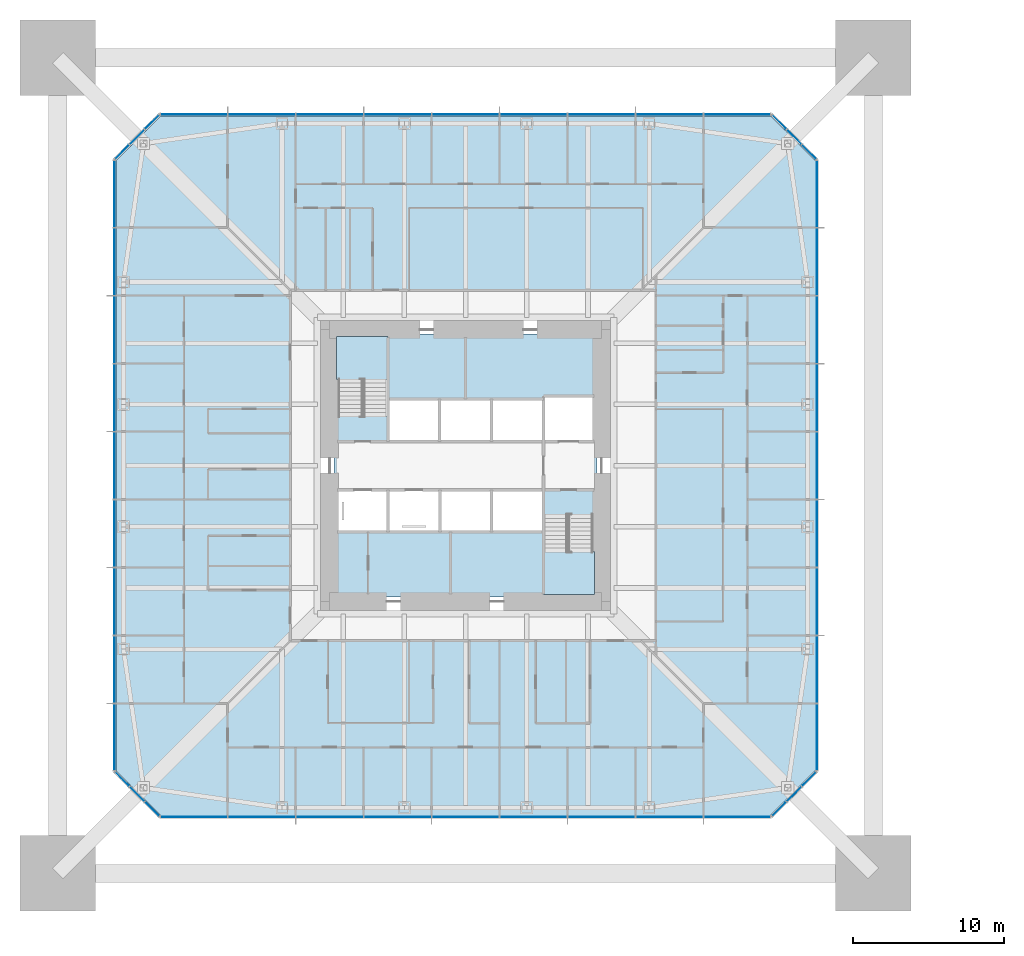
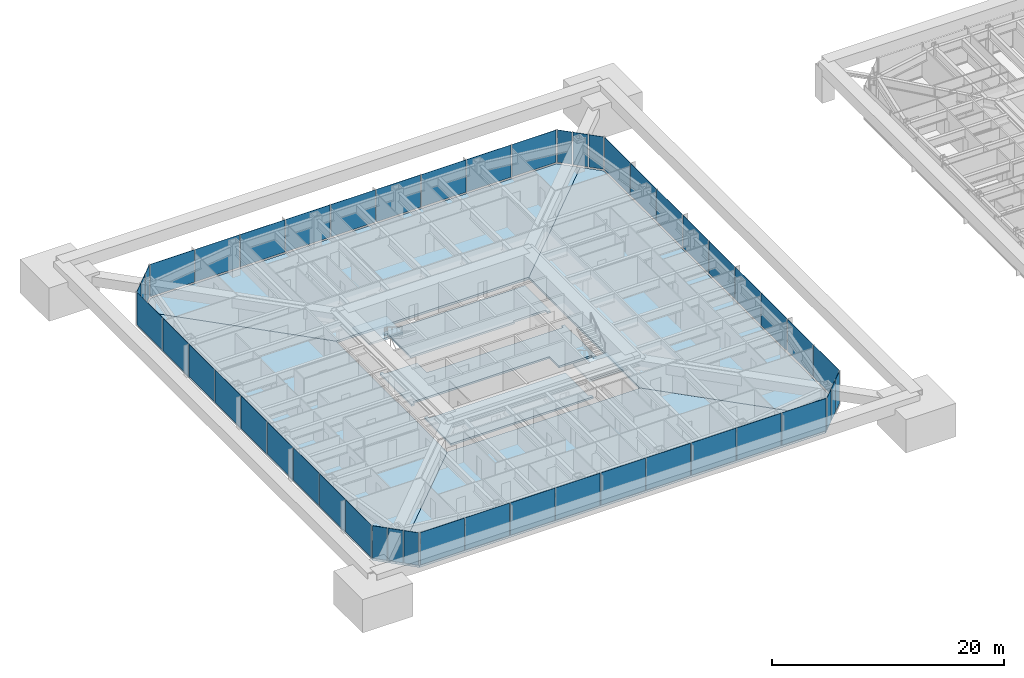
# One storey, part 18 of 32: 48 plates, 9 slabs, 10 elements without a shape of their own.
"""IFC4 building model written with IfcOpenShell, lengths in metres."""

from ifc_helpers import new_model, si_unit, direction, frame, origin, origin_2d, place, context, subcontext, project, spatial, polyline, rectangle, outline, extrude, material, layer, layer_set, constituent, constituent_set, type_object, element, aggregate, save


model = new_model("IFC4")

# Units and contexts
model_context = context("Model", 3, precision=1e-05, world=origin(), true_north=direction((0.0, 1.0)))
body_context = subcontext(model_context, "Body", "Model", "MODEL_VIEW")
ifc_project = project(units=[si_unit("LENGTHUNIT", "METRE"), si_unit("AREAUNIT", "SQUARE_METRE"), si_unit("VOLUMEUNIT", "CUBIC_METRE"), si_unit("PLANEANGLEUNIT", "RADIAN"), si_unit("MASSUNIT", "GRAM", prefix="KILO")], contexts=[model_context])

# Site, building, storey
site_placement = place(None, origin())
site = spatial("IfcSite", under=ifc_project, at=site_placement, CompositionType="ELEMENT")
building_placement = place(site_placement, origin())
building = spatial("IfcBuilding", under=site, at=building_placement, Name="Iwan Alto Co-Living Towers", CompositionType="ELEMENT")
storey_placement = place(building_placement, frame((0.0, 0.0, 71.0)))
storey = spatial("IfcBuildingStorey", under=building, at=storey_placement, Name="L19", CompositionType="ELEMENT", Elevation=71.0)

# Slabs
ifc_material_1 = material(Name="Concrete f'c 30 MPa", Category="concrete")
ifc_layer_1 = layer(ifc_material_1, 0.199951171875)
ifc_layer_set_1 = layer_set([ifc_layer_1], Name="CORE FLOOR SLAB 200")
slab_type_1 = type_object("IfcSlabType", Name="CORE FLOOR SLAB 200", PredefinedType="FLOOR", material=ifc_layer_set_1)
slab_1_placement = place(storey_placement, frame((0.0, 0.0, -0.199951171875)))
element("IfcSlab", 1, at=slab_1_placement, inside=storey, type_object=slab_type_1, Name="T1 core floor L19", PredefinedType="FLOOR", context=body_context, shape_type="SweptSolid", body=[
    extrude(outline(polyline([(8.699951171875, -3.580078125), (8.39990234375, -3.580078125), (8.39990234375, -3.27001953125), (5.14990234375, -3.27001953125), (5.14990234375, -1.60009765625), (1.72509765625, -1.60009765625), (-1.699951171875, -1.60009765625), (-5.125, -1.60009765625), (-8.39990234375, -1.60009765625), (-8.39990234375, -1.909912109375), (-8.699951171875, -1.909912109375), (-8.699951171875, 3.580078125), (-8.39990234375, 3.580078125), (-8.39990234375, 3.27001953125), (-5.14990234375, 3.27001953125), (-5.14990234375, 1.60009765625), (-1.717041015625, 1.60009765625), (1.717041015625, 1.60009765625), (5.14990234375, 1.60009765625), (8.39990234375, 1.60009765625), (8.39990234375, 1.909912109375), (8.699951171875, 1.909912109375), (8.699951171875, -3.580078125)])), origin(), (0.0, 0.0, 1.0), 0.199951171875),
])
slab_2_placement = place(storey_placement, frame((0.0, 0.0, -0.199951171875)))
element("IfcSlab", 2, at=slab_2_placement, inside=storey, type_object=slab_type_1, Name="T1 core floor L19", PredefinedType="FLOOR", context=body_context, shape_type="SweptSolid", body=[
    extrude(outline(polyline([(-1.699951171875, -4.39990234375), (1.72509765625, -4.39990234375), (5.14990234375, -4.39990234375), (5.14990234375, -8.39990234375), (5.4599609375, -8.39990234375), (5.4599609375, -8.699951171875), (-8.699951171875, -8.699951171875), (-8.699951171875, -4.090087890625), (-8.39990234375, -4.090087890625), (-8.39990234375, -4.39990234375), (-5.125, -4.39990234375), (-1.699951171875, -4.39990234375)])), origin(), (0.0, 0.0, 1.0), 0.199951171875),
])
slab_3_placement = place(storey_placement, frame((0.0, 0.0, -0.199951171875)))
element("IfcSlab", 3, at=slab_3_placement, inside=storey, type_object=slab_type_1, Name="T1 core floor L19", PredefinedType="FLOOR", context=body_context, shape_type="SweptSolid", body=[
    extrude(outline(polyline([(1.717041015625, 4.39990234375), (-1.717041015625, 4.39990234375), (-5.14990234375, 4.39990234375), (-5.14990234375, 8.39990234375), (-5.4599609375, 8.39990234375), (-5.4599609375, 8.699951171875), (8.699951171875, 8.699951171875), (8.699951171875, 4.2900390625), (8.39990234375, 4.2900390625), (8.39990234375, 4.60009765625), (5.14990234375, 4.60009765625), (5.14990234375, 4.39990234375), (1.717041015625, 4.39990234375)])), origin(), (0.0, 0.0, 1.0), 0.199951171875),
])

# Curtain wall, plates
ifc_material_2 = material(Name="Bronze aluminium unitised frame", Category="aluminium")
curtain_wall_type_1 = type_object("IfcCurtainWallType", Name="CURTAIN WALL CW-A", PredefinedType="NOTDEFINED", material=ifc_material_2)
curtain_wall_1_placement = place(storey_placement, origin())
curtain_wall_1 = element("IfcCurtainWall", 4, at=curtain_wall_1_placement, inside=storey, type_object=curtain_wall_type_1, Name="T1 curtain wall S L19", PredefinedType="NOTDEFINED")
ifc_material_3 = material(Name="Bronze-tinted insulating glass", Category="glass")
ifc_layer_2 = layer(ifc_material_3, 0.031982421875)
ifc_layer_set_2 = layer_set([ifc_layer_2], Name="CW-A PANEL TINTED IGU 32")
plate_type_1 = type_object("IfcPlateType", Name="CW-A PANEL TINTED IGU 32", PredefinedType="CURTAIN_PANEL", material=ifc_layer_set_2)
plate_1_placement = place(storey_placement, frame((-17.97998046875, -23.25, 0.10009765625), z_axis=(0.0, 0.0, 1.0), x_axis=(1.0, 0.0, 0.0)))
plate_1 = element("IfcPlate", 5, at=plate_1_placement, type_object=plate_type_1, Name="CW-A panel 1.1", PredefinedType="CURTAIN_PANEL", context=body_context, shape_type="SweptSolid", body=[
    extrude(rectangle(XDim=4.3798828125, YDim=0.031982421875, at=origin_2d()), origin(), (0.0, 0.0, 1.0), 3.39990234375),
])
plate_2_placement = place(storey_placement, frame((-13.5, -23.25, 0.10009765625), z_axis=(0.0, 0.0, 1.0), x_axis=(1.0, 0.0, 0.0)))
plate_2 = element("IfcPlate", 6, at=plate_2_placement, type_object=plate_type_1, Name="CW-A panel 2.1", PredefinedType="CURTAIN_PANEL", context=body_context, shape_type="SweptSolid", body=[
    extrude(rectangle(XDim=4.419921875, YDim=0.031982421875, at=origin_2d()), origin(), (0.0, 0.0, 1.0), 3.39990234375),
])
plate_3_placement = place(storey_placement, frame((-9.0, -23.25, 0.10009765625), z_axis=(0.0, 0.0, 1.0), x_axis=(1.0, 0.0, 0.0)))
plate_3 = element("IfcPlate", 7, at=plate_3_placement, type_object=plate_type_1, Name="CW-A panel 3.1", PredefinedType="CURTAIN_PANEL", context=body_context, shape_type="SweptSolid", body=[
    extrude(rectangle(XDim=4.419921875, YDim=0.031982421875, at=origin_2d()), origin(), (0.0, 0.0, 1.0), 3.39990234375),
])
plate_4_placement = place(storey_placement, frame((-4.5, -23.25, 0.10009765625), z_axis=(0.0, 0.0, 1.0), x_axis=(1.0, 0.0, 0.0)))
plate_4 = element("IfcPlate", 8, at=plate_4_placement, type_object=plate_type_1, Name="CW-A panel 4.1", PredefinedType="CURTAIN_PANEL", context=body_context, shape_type="SweptSolid", body=[
    extrude(rectangle(XDim=4.419921875, YDim=0.031982421875, at=origin_2d()), origin(), (0.0, 0.0, 1.0), 3.39990234375),
])
plate_5_placement = place(storey_placement, frame((0.0, -23.25, 0.10009765625), z_axis=(0.0, 0.0, 1.0), x_axis=(1.0, 0.0, 0.0)))
plate_5 = element("IfcPlate", 9, at=plate_5_placement, type_object=plate_type_1, Name="CW-A panel 5.1", PredefinedType="CURTAIN_PANEL", context=body_context, shape_type="SweptSolid", body=[
    extrude(rectangle(XDim=4.419921875, YDim=0.031982421875, at=origin_2d()), origin(), (0.0, 0.0, 1.0), 3.39990234375),
])
plate_6_placement = place(storey_placement, frame((4.5, -23.25, 0.10009765625), z_axis=(0.0, 0.0, 1.0), x_axis=(1.0, 0.0, 0.0)))
plate_6 = element("IfcPlate", 10, at=plate_6_placement, type_object=plate_type_1, Name="CW-A panel 6.1", PredefinedType="CURTAIN_PANEL", context=body_context, shape_type="SweptSolid", body=[
    extrude(rectangle(XDim=4.419921875, YDim=0.031982421875, at=origin_2d()), origin(), (0.0, 0.0, 1.0), 3.39990234375),
])
plate_7_placement = place(storey_placement, frame((9.0, -23.25, 0.10009765625), z_axis=(0.0, 0.0, 1.0), x_axis=(1.0, 0.0, 0.0)))
plate_7 = element("IfcPlate", 11, at=plate_7_placement, type_object=plate_type_1, Name="CW-A panel 7.1", PredefinedType="CURTAIN_PANEL", context=body_context, shape_type="SweptSolid", body=[
    extrude(rectangle(XDim=4.419921875, YDim=0.031982421875, at=origin_2d()), origin(), (0.0, 0.0, 1.0), 3.39990234375),
])
plate_8_placement = place(storey_placement, frame((13.5, -23.25, 0.10009765625), z_axis=(0.0, 0.0, 1.0), x_axis=(1.0, 0.0, 0.0)))
plate_8 = element("IfcPlate", 12, at=plate_8_placement, type_object=plate_type_1, Name="CW-A panel 8.1", PredefinedType="CURTAIN_PANEL", context=body_context, shape_type="SweptSolid", body=[
    extrude(rectangle(XDim=4.419921875, YDim=0.031982421875, at=origin_2d()), origin(), (0.0, 0.0, 1.0), 3.39990234375),
])
plate_9_placement = place(storey_placement, frame((17.97998046875, -23.25, 0.10009765625), z_axis=(0.0, 0.0, 1.0), x_axis=(1.0, 0.0, 0.0)))
plate_9 = element("IfcPlate", 13, at=plate_9_placement, type_object=plate_type_1, Name="CW-A panel 9.1", PredefinedType="CURTAIN_PANEL", context=body_context, shape_type="SweptSolid", body=[
    extrude(rectangle(XDim=4.3798828125, YDim=0.031982421875, at=origin_2d()), origin(), (0.0, 0.0, 1.0), 3.39990234375),
])
aggregate(curtain_wall_1, [plate_1, plate_2, plate_3, plate_4, plate_5, plate_6, plate_7, plate_8, plate_9])

curtain_wall_2_placement = place(storey_placement, origin())
curtain_wall_2 = element("IfcCurtainWall", 14, at=curtain_wall_2_placement, inside=storey, type_object=curtain_wall_type_1, Name="T1 curtain wall E L19", PredefinedType="NOTDEFINED")
plate_10_placement = place(storey_placement, frame((23.25, -17.97998046875, 0.10009765625), z_axis=(0.0, 0.0, 1.0), x_axis=(0.0, 1.0, 0.0)))
plate_10 = element("IfcPlate", 15, at=plate_10_placement, type_object=plate_type_1, Name="CW-A panel 1.1", PredefinedType="CURTAIN_PANEL", context=body_context, shape_type="SweptSolid", body=[
    extrude(rectangle(XDim=4.3798828125, YDim=0.031982421875, at=origin_2d()), origin(), (0.0, 0.0, 1.0), 3.39990234375),
])
plate_11_placement = place(storey_placement, frame((23.25, -13.5, 0.10009765625), z_axis=(0.0, 0.0, 1.0), x_axis=(0.0, 1.0, 0.0)))
plate_11 = element("IfcPlate", 16, at=plate_11_placement, type_object=plate_type_1, Name="CW-A panel 2.1", PredefinedType="CURTAIN_PANEL", context=body_context, shape_type="SweptSolid", body=[
    extrude(rectangle(XDim=4.419921875, YDim=0.031982421875, at=origin_2d()), origin(), (0.0, 0.0, 1.0), 3.39990234375),
])
plate_12_placement = place(storey_placement, frame((23.25, -9.0, 0.10009765625), z_axis=(0.0, 0.0, 1.0), x_axis=(0.0, 1.0, 0.0)))
plate_12 = element("IfcPlate", 17, at=plate_12_placement, type_object=plate_type_1, Name="CW-A panel 3.1", PredefinedType="CURTAIN_PANEL", context=body_context, shape_type="SweptSolid", body=[
    extrude(rectangle(XDim=4.419921875, YDim=0.031982421875, at=origin_2d()), origin(), (0.0, 0.0, 1.0), 3.39990234375),
])
plate_13_placement = place(storey_placement, frame((23.25, -4.5, 0.10009765625), z_axis=(0.0, 0.0, 1.0), x_axis=(0.0, 1.0, 0.0)))
plate_13 = element("IfcPlate", 18, at=plate_13_placement, type_object=plate_type_1, Name="CW-A panel 4.1", PredefinedType="CURTAIN_PANEL", context=body_context, shape_type="SweptSolid", body=[
    extrude(rectangle(XDim=4.419921875, YDim=0.031982421875, at=origin_2d()), origin(), (0.0, 0.0, 1.0), 3.39990234375),
])
plate_14_placement = place(storey_placement, frame((23.25, 0.0, 0.10009765625), z_axis=(0.0, 0.0, 1.0), x_axis=(0.0, 1.0, 0.0)))
plate_14 = element("IfcPlate", 19, at=plate_14_placement, type_object=plate_type_1, Name="CW-A panel 5.1", PredefinedType="CURTAIN_PANEL", context=body_context, shape_type="SweptSolid", body=[
    extrude(rectangle(XDim=4.419921875, YDim=0.031982421875, at=origin_2d()), origin(), (0.0, 0.0, 1.0), 3.39990234375),
])
plate_15_placement = place(storey_placement, frame((23.25, 4.5, 0.10009765625), z_axis=(0.0, 0.0, 1.0), x_axis=(0.0, 1.0, 0.0)))
plate_15 = element("IfcPlate", 20, at=plate_15_placement, type_object=plate_type_1, Name="CW-A panel 6.1", PredefinedType="CURTAIN_PANEL", context=body_context, shape_type="SweptSolid", body=[
    extrude(rectangle(XDim=4.419921875, YDim=0.031982421875, at=origin_2d()), origin(), (0.0, 0.0, 1.0), 3.39990234375),
])
plate_16_placement = place(storey_placement, frame((23.25, 9.0, 0.10009765625), z_axis=(0.0, 0.0, 1.0), x_axis=(0.0, 1.0, 0.0)))
plate_16 = element("IfcPlate", 21, at=plate_16_placement, type_object=plate_type_1, Name="CW-A panel 7.1", PredefinedType="CURTAIN_PANEL", context=body_context, shape_type="SweptSolid", body=[
    extrude(rectangle(XDim=4.419921875, YDim=0.031982421875, at=origin_2d()), origin(), (0.0, 0.0, 1.0), 3.39990234375),
])
plate_17_placement = place(storey_placement, frame((23.25, 13.5, 0.10009765625), z_axis=(0.0, 0.0, 1.0), x_axis=(0.0, 1.0, 0.0)))
plate_17 = element("IfcPlate", 22, at=plate_17_placement, type_object=plate_type_1, Name="CW-A panel 8.1", PredefinedType="CURTAIN_PANEL", context=body_context, shape_type="SweptSolid", body=[
    extrude(rectangle(XDim=4.419921875, YDim=0.031982421875, at=origin_2d()), origin(), (0.0, 0.0, 1.0), 3.39990234375),
])
plate_18_placement = place(storey_placement, frame((23.25, 17.97998046875, 0.10009765625), z_axis=(0.0, 0.0, 1.0), x_axis=(0.0, 1.0, 0.0)))
plate_18 = element("IfcPlate", 23, at=plate_18_placement, type_object=plate_type_1, Name="CW-A panel 9.1", PredefinedType="CURTAIN_PANEL", context=body_context, shape_type="SweptSolid", body=[
    extrude(rectangle(XDim=4.3798828125, YDim=0.031982421875, at=origin_2d()), origin(), (0.0, 0.0, 1.0), 3.39990234375),
])
aggregate(curtain_wall_2, [plate_10, plate_11, plate_12, plate_13, plate_14, plate_15, plate_16, plate_17, plate_18])

curtain_wall_3_placement = place(storey_placement, origin())
curtain_wall_3 = element("IfcCurtainWall", 24, at=curtain_wall_3_placement, inside=storey, type_object=curtain_wall_type_1, Name="T1 curtain wall N L19", PredefinedType="NOTDEFINED")
plate_19_placement = place(storey_placement, frame((17.97998046875, 23.25, 0.10009765625), z_axis=(0.0, 0.0, 1.0), x_axis=(-1.0, 0.0, 0.0)))
plate_19 = element("IfcPlate", 25, at=plate_19_placement, type_object=plate_type_1, Name="CW-A panel 1.1", PredefinedType="CURTAIN_PANEL", context=body_context, shape_type="SweptSolid", body=[
    extrude(rectangle(XDim=4.3798828125, YDim=0.031982421875, at=origin_2d()), origin(), (0.0, 0.0, 1.0), 3.39990234375),
])
plate_20_placement = place(storey_placement, frame((13.5, 23.25, 0.10009765625), z_axis=(0.0, 0.0, 1.0), x_axis=(-1.0, 0.0, 0.0)))
plate_20 = element("IfcPlate", 26, at=plate_20_placement, type_object=plate_type_1, Name="CW-A panel 2.1", PredefinedType="CURTAIN_PANEL", context=body_context, shape_type="SweptSolid", body=[
    extrude(rectangle(XDim=4.419921875, YDim=0.031982421875, at=origin_2d()), origin(), (0.0, 0.0, 1.0), 3.39990234375),
])
plate_21_placement = place(storey_placement, frame((9.0, 23.25, 0.10009765625), z_axis=(0.0, 0.0, 1.0), x_axis=(-1.0, 0.0, 0.0)))
plate_21 = element("IfcPlate", 27, at=plate_21_placement, type_object=plate_type_1, Name="CW-A panel 3.1", PredefinedType="CURTAIN_PANEL", context=body_context, shape_type="SweptSolid", body=[
    extrude(rectangle(XDim=4.419921875, YDim=0.031982421875, at=origin_2d()), origin(), (0.0, 0.0, 1.0), 3.39990234375),
])
plate_22_placement = place(storey_placement, frame((4.5, 23.25, 0.10009765625), z_axis=(0.0, 0.0, 1.0), x_axis=(-1.0, 0.0, 0.0)))
plate_22 = element("IfcPlate", 28, at=plate_22_placement, type_object=plate_type_1, Name="CW-A panel 4.1", PredefinedType="CURTAIN_PANEL", context=body_context, shape_type="SweptSolid", body=[
    extrude(rectangle(XDim=4.419921875, YDim=0.031982421875, at=origin_2d()), origin(), (0.0, 0.0, 1.0), 3.39990234375),
])
plate_23_placement = place(storey_placement, frame((0.0, 23.25, 0.10009765625), z_axis=(0.0, 0.0, 1.0), x_axis=(-1.0, 0.0, 0.0)))
plate_23 = element("IfcPlate", 29, at=plate_23_placement, type_object=plate_type_1, Name="CW-A panel 5.1", PredefinedType="CURTAIN_PANEL", context=body_context, shape_type="SweptSolid", body=[
    extrude(rectangle(XDim=4.419921875, YDim=0.031982421875, at=origin_2d()), origin(), (0.0, 0.0, 1.0), 3.39990234375),
])
plate_24_placement = place(storey_placement, frame((-4.5, 23.25, 0.10009765625), z_axis=(0.0, 0.0, 1.0), x_axis=(-1.0, 0.0, 0.0)))
plate_24 = element("IfcPlate", 30, at=plate_24_placement, type_object=plate_type_1, Name="CW-A panel 6.1", PredefinedType="CURTAIN_PANEL", context=body_context, shape_type="SweptSolid", body=[
    extrude(rectangle(XDim=4.419921875, YDim=0.031982421875, at=origin_2d()), origin(), (0.0, 0.0, 1.0), 3.39990234375),
])
plate_25_placement = place(storey_placement, frame((-9.0, 23.25, 0.10009765625), z_axis=(0.0, 0.0, 1.0), x_axis=(-1.0, 0.0, 0.0)))
plate_25 = element("IfcPlate", 31, at=plate_25_placement, type_object=plate_type_1, Name="CW-A panel 7.1", PredefinedType="CURTAIN_PANEL", context=body_context, shape_type="SweptSolid", body=[
    extrude(rectangle(XDim=4.419921875, YDim=0.031982421875, at=origin_2d()), origin(), (0.0, 0.0, 1.0), 3.39990234375),
])
plate_26_placement = place(storey_placement, frame((-13.5, 23.25, 0.10009765625), z_axis=(0.0, 0.0, 1.0), x_axis=(-1.0, 0.0, 0.0)))
plate_26 = element("IfcPlate", 32, at=plate_26_placement, type_object=plate_type_1, Name="CW-A panel 8.1", PredefinedType="CURTAIN_PANEL", context=body_context, shape_type="SweptSolid", body=[
    extrude(rectangle(XDim=4.419921875, YDim=0.031982421875, at=origin_2d()), origin(), (0.0, 0.0, 1.0), 3.39990234375),
])
plate_27_placement = place(storey_placement, frame((-17.97998046875, 23.25, 0.10009765625), z_axis=(0.0, 0.0, 1.0), x_axis=(-1.0, 0.0, 0.0)))
plate_27 = element("IfcPlate", 33, at=plate_27_placement, type_object=plate_type_1, Name="CW-A panel 9.1", PredefinedType="CURTAIN_PANEL", context=body_context, shape_type="SweptSolid", body=[
    extrude(rectangle(XDim=4.3798828125, YDim=0.031982421875, at=origin_2d()), origin(), (0.0, 0.0, 1.0), 3.39990234375),
])
aggregate(curtain_wall_3, [plate_19, plate_20, plate_21, plate_22, plate_23, plate_24, plate_25, plate_26, plate_27])

curtain_wall_4_placement = place(storey_placement, origin())
curtain_wall_4 = element("IfcCurtainWall", 34, at=curtain_wall_4_placement, inside=storey, type_object=curtain_wall_type_1, Name="T1 curtain wall W L19", PredefinedType="NOTDEFINED")
plate_28_placement = place(storey_placement, frame((-23.25, 17.97998046875, 0.10009765625), z_axis=(0.0, 0.0, 1.0), x_axis=(0.0, -1.0, 0.0)))
plate_28 = element("IfcPlate", 35, at=plate_28_placement, type_object=plate_type_1, Name="CW-A panel 1.1", PredefinedType="CURTAIN_PANEL", context=body_context, shape_type="SweptSolid", body=[
    extrude(rectangle(XDim=4.3798828125, YDim=0.031982421875, at=origin_2d()), origin(), (0.0, 0.0, 1.0), 3.39990234375),
])
plate_29_placement = place(storey_placement, frame((-23.25, 13.5, 0.10009765625), z_axis=(0.0, 0.0, 1.0), x_axis=(0.0, -1.0, 0.0)))
plate_29 = element("IfcPlate", 36, at=plate_29_placement, type_object=plate_type_1, Name="CW-A panel 2.1", PredefinedType="CURTAIN_PANEL", context=body_context, shape_type="SweptSolid", body=[
    extrude(rectangle(XDim=4.419921875, YDim=0.031982421875, at=origin_2d()), origin(), (0.0, 0.0, 1.0), 3.39990234375),
])
plate_30_placement = place(storey_placement, frame((-23.25, 9.0, 0.10009765625), z_axis=(0.0, 0.0, 1.0), x_axis=(0.0, -1.0, 0.0)))
plate_30 = element("IfcPlate", 37, at=plate_30_placement, type_object=plate_type_1, Name="CW-A panel 3.1", PredefinedType="CURTAIN_PANEL", context=body_context, shape_type="SweptSolid", body=[
    extrude(rectangle(XDim=4.419921875, YDim=0.031982421875, at=origin_2d()), origin(), (0.0, 0.0, 1.0), 3.39990234375),
])
plate_31_placement = place(storey_placement, frame((-23.25, 4.5, 0.10009765625), z_axis=(0.0, 0.0, 1.0), x_axis=(0.0, -1.0, 0.0)))
plate_31 = element("IfcPlate", 38, at=plate_31_placement, type_object=plate_type_1, Name="CW-A panel 4.1", PredefinedType="CURTAIN_PANEL", context=body_context, shape_type="SweptSolid", body=[
    extrude(rectangle(XDim=4.419921875, YDim=0.031982421875, at=origin_2d()), origin(), (0.0, 0.0, 1.0), 3.39990234375),
])
plate_32_placement = place(storey_placement, frame((-23.25, 0.0, 0.10009765625), z_axis=(0.0, 0.0, 1.0), x_axis=(0.0, -1.0, 0.0)))
plate_32 = element("IfcPlate", 39, at=plate_32_placement, type_object=plate_type_1, Name="CW-A panel 5.1", PredefinedType="CURTAIN_PANEL", context=body_context, shape_type="SweptSolid", body=[
    extrude(rectangle(XDim=4.419921875, YDim=0.031982421875, at=origin_2d()), origin(), (0.0, 0.0, 1.0), 3.39990234375),
])
plate_33_placement = place(storey_placement, frame((-23.25, -4.5, 0.10009765625), z_axis=(0.0, 0.0, 1.0), x_axis=(0.0, -1.0, 0.0)))
plate_33 = element("IfcPlate", 40, at=plate_33_placement, type_object=plate_type_1, Name="CW-A panel 6.1", PredefinedType="CURTAIN_PANEL", context=body_context, shape_type="SweptSolid", body=[
    extrude(rectangle(XDim=4.419921875, YDim=0.031982421875, at=origin_2d()), origin(), (0.0, 0.0, 1.0), 3.39990234375),
])
plate_34_placement = place(storey_placement, frame((-23.25, -9.0, 0.10009765625), z_axis=(0.0, 0.0, 1.0), x_axis=(0.0, -1.0, 0.0)))
plate_34 = element("IfcPlate", 41, at=plate_34_placement, type_object=plate_type_1, Name="CW-A panel 7.1", PredefinedType="CURTAIN_PANEL", context=body_context, shape_type="SweptSolid", body=[
    extrude(rectangle(XDim=4.419921875, YDim=0.031982421875, at=origin_2d()), origin(), (0.0, 0.0, 1.0), 3.39990234375),
])
plate_35_placement = place(storey_placement, frame((-23.25, -13.5, 0.10009765625), z_axis=(0.0, 0.0, 1.0), x_axis=(0.0, -1.0, 0.0)))
plate_35 = element("IfcPlate", 42, at=plate_35_placement, type_object=plate_type_1, Name="CW-A panel 8.1", PredefinedType="CURTAIN_PANEL", context=body_context, shape_type="SweptSolid", body=[
    extrude(rectangle(XDim=4.419921875, YDim=0.031982421875, at=origin_2d()), origin(), (0.0, 0.0, 1.0), 3.39990234375),
])
plate_36_placement = place(storey_placement, frame((-23.25, -17.97998046875, 0.10009765625), z_axis=(0.0, 0.0, 1.0), x_axis=(0.0, -1.0, 0.0)))
plate_36 = element("IfcPlate", 43, at=plate_36_placement, type_object=plate_type_1, Name="CW-A panel 9.1", PredefinedType="CURTAIN_PANEL", context=body_context, shape_type="SweptSolid", body=[
    extrude(rectangle(XDim=4.3798828125, YDim=0.031982421875, at=origin_2d()), origin(), (0.0, 0.0, 1.0), 3.39990234375),
])
aggregate(curtain_wall_4, [plate_28, plate_29, plate_30, plate_31, plate_32, plate_33, plate_34, plate_35, plate_36])

ifc_material_4 = material(Name="Bronze aluminium unitised frame", Category="aluminium")
curtain_wall_type_2 = type_object("IfcCurtainWallType", Name="CURTAIN WALL CW-B", PredefinedType="NOTDEFINED", material=ifc_material_4)
curtain_wall_5_placement = place(storey_placement, origin())
curtain_wall_5 = element("IfcCurtainWall", 44, at=curtain_wall_5_placement, inside=storey, type_object=curtain_wall_type_2, Name="T1 chamfer curtain wall SE L19", PredefinedType="NOTDEFINED")
ifc_material_5 = material(Name="Bronze-tinted insulating glass", Category="glass")
ifc_layer_3 = layer(ifc_material_5, 0.031982421875)
ifc_layer_set_3 = layer_set([ifc_layer_3], Name="CW-B PANEL TINTED IGU 32")
plate_type_2 = type_object("IfcPlateType", Name="CW-B PANEL TINTED IGU 32", PredefinedType="CURTAIN_PANEL", material=ifc_layer_set_3)
plate_37_placement = place(storey_placement, frame((20.76416015625, -22.73583984375, 0.10009765625), z_axis=(0.0, 0.0, 1.0), x_axis=(0.707106781187, 0.707106781187, 0.0)))
plate_37 = element("IfcPlate", 45, at=plate_37_placement, type_object=plate_type_2, Name="CW-B panel 1.1", PredefinedType="CURTAIN_PANEL", context=body_context, shape_type="SweptSolid", body=[
    extrude(rectangle(XDim=1.294189453125, YDim=0.031982421875, at=origin_2d()), origin(), (0.0, 0.0, 1.0), 3.39990234375),
])
plate_38_placement = place(storey_placement, frame((21.75, -21.75, 0.10009765625), z_axis=(0.0, 0.0, 1.0), x_axis=(0.707106781187, 0.707106781187, 0.0)))
plate_38 = element("IfcPlate", 46, at=plate_38_placement, type_object=plate_type_2, Name="CW-B panel 2.1", PredefinedType="CURTAIN_PANEL", context=body_context, shape_type="SweptSolid", body=[
    extrude(rectangle(XDim=1.334228515625, YDim=0.031982421875, at=origin_2d()), origin(), (0.0, 0.0, 1.0), 3.39990234375),
])
plate_39_placement = place(storey_placement, frame((22.73583984375, -20.76416015625, 0.10009765625), z_axis=(0.0, 0.0, 1.0), x_axis=(0.707106781187, 0.707106781187, 0.0)))
plate_39 = element("IfcPlate", 47, at=plate_39_placement, type_object=plate_type_2, Name="CW-B panel 3.1", PredefinedType="CURTAIN_PANEL", context=body_context, shape_type="SweptSolid", body=[
    extrude(rectangle(XDim=1.294189453125, YDim=0.031982421875, at=origin_2d()), origin(), (0.0, 0.0, 1.0), 3.39990234375),
])
aggregate(curtain_wall_5, [plate_37, plate_38, plate_39])

curtain_wall_6_placement = place(storey_placement, origin())
curtain_wall_6 = element("IfcCurtainWall", 48, at=curtain_wall_6_placement, inside=storey, type_object=curtain_wall_type_2, Name="T1 chamfer curtain wall NE L19", PredefinedType="NOTDEFINED")
plate_40_placement = place(storey_placement, frame((22.73583984375, 20.76416015625, 0.10009765625), z_axis=(0.0, 0.0, 1.0), x_axis=(-0.707106781187, 0.707106781187, 0.0)))
plate_40 = element("IfcPlate", 49, at=plate_40_placement, type_object=plate_type_2, Name="CW-B panel 1.1", PredefinedType="CURTAIN_PANEL", context=body_context, shape_type="SweptSolid", body=[
    extrude(rectangle(XDim=1.294189453125, YDim=0.031982421875, at=origin_2d()), origin(), (0.0, 0.0, 1.0), 3.39990234375),
])
plate_41_placement = place(storey_placement, frame((21.75, 21.75, 0.10009765625), z_axis=(0.0, 0.0, 1.0), x_axis=(-0.707106781187, 0.707106781187, 0.0)))
plate_41 = element("IfcPlate", 50, at=plate_41_placement, type_object=plate_type_2, Name="CW-B panel 2.1", PredefinedType="CURTAIN_PANEL", context=body_context, shape_type="SweptSolid", body=[
    extrude(rectangle(XDim=1.334228515625, YDim=0.031982421875, at=origin_2d()), origin(), (0.0, 0.0, 1.0), 3.39990234375),
])
plate_42_placement = place(storey_placement, frame((20.76416015625, 22.73583984375, 0.10009765625), z_axis=(0.0, 0.0, 1.0), x_axis=(-0.707106781187, 0.707106781187, 0.0)))
plate_42 = element("IfcPlate", 51, at=plate_42_placement, type_object=plate_type_2, Name="CW-B panel 3.1", PredefinedType="CURTAIN_PANEL", context=body_context, shape_type="SweptSolid", body=[
    extrude(rectangle(XDim=1.294189453125, YDim=0.031982421875, at=origin_2d()), origin(), (0.0, 0.0, 1.0), 3.39990234375),
])
aggregate(curtain_wall_6, [plate_40, plate_41, plate_42])

curtain_wall_7_placement = place(storey_placement, origin())
curtain_wall_7 = element("IfcCurtainWall", 52, at=curtain_wall_7_placement, inside=storey, type_object=curtain_wall_type_2, Name="T1 chamfer curtain wall NW L19", PredefinedType="NOTDEFINED")
plate_43_placement = place(storey_placement, frame((-20.76416015625, 22.73583984375, 0.10009765625), z_axis=(0.0, 0.0, 1.0), x_axis=(-0.707106781187, -0.707106781187, 0.0)))
plate_43 = element("IfcPlate", 53, at=plate_43_placement, type_object=plate_type_2, Name="CW-B panel 1.1", PredefinedType="CURTAIN_PANEL", context=body_context, shape_type="SweptSolid", body=[
    extrude(rectangle(XDim=1.294189453125, YDim=0.031982421875, at=origin_2d()), origin(), (0.0, 0.0, 1.0), 3.39990234375),
])
plate_44_placement = place(storey_placement, frame((-21.75, 21.75, 0.10009765625), z_axis=(0.0, 0.0, 1.0), x_axis=(-0.707106781187, -0.707106781187, 0.0)))
plate_44 = element("IfcPlate", 54, at=plate_44_placement, type_object=plate_type_2, Name="CW-B panel 2.1", PredefinedType="CURTAIN_PANEL", context=body_context, shape_type="SweptSolid", body=[
    extrude(rectangle(XDim=1.334228515625, YDim=0.031982421875, at=origin_2d()), origin(), (0.0, 0.0, 1.0), 3.39990234375),
])
plate_45_placement = place(storey_placement, frame((-22.73583984375, 20.76416015625, 0.10009765625), z_axis=(0.0, 0.0, 1.0), x_axis=(-0.707106781187, -0.707106781187, 0.0)))
plate_45 = element("IfcPlate", 55, at=plate_45_placement, type_object=plate_type_2, Name="CW-B panel 3.1", PredefinedType="CURTAIN_PANEL", context=body_context, shape_type="SweptSolid", body=[
    extrude(rectangle(XDim=1.294189453125, YDim=0.031982421875, at=origin_2d()), origin(), (0.0, 0.0, 1.0), 3.39990234375),
])
aggregate(curtain_wall_7, [plate_43, plate_44, plate_45])

curtain_wall_8_placement = place(storey_placement, origin())
curtain_wall_8 = element("IfcCurtainWall", 56, at=curtain_wall_8_placement, inside=storey, type_object=curtain_wall_type_2, Name="T1 chamfer curtain wall SW L19", PredefinedType="NOTDEFINED")
plate_46_placement = place(storey_placement, frame((-22.73583984375, -20.76416015625, 0.10009765625), z_axis=(0.0, 0.0, 1.0), x_axis=(0.707106781187, -0.707106781187, 0.0)))
plate_46 = element("IfcPlate", 57, at=plate_46_placement, type_object=plate_type_2, Name="CW-B panel 1.1", PredefinedType="CURTAIN_PANEL", context=body_context, shape_type="SweptSolid", body=[
    extrude(rectangle(XDim=1.294189453125, YDim=0.031982421875, at=origin_2d()), origin(), (0.0, 0.0, 1.0), 3.39990234375),
])
plate_47_placement = place(storey_placement, frame((-21.75, -21.75, 0.10009765625), z_axis=(0.0, 0.0, 1.0), x_axis=(0.707106781187, -0.707106781187, 0.0)))
plate_47 = element("IfcPlate", 58, at=plate_47_placement, type_object=plate_type_2, Name="CW-B panel 2.1", PredefinedType="CURTAIN_PANEL", context=body_context, shape_type="SweptSolid", body=[
    extrude(rectangle(XDim=1.334228515625, YDim=0.031982421875, at=origin_2d()), origin(), (0.0, 0.0, 1.0), 3.39990234375),
])
plate_48_placement = place(storey_placement, frame((-20.76416015625, -22.73583984375, 0.10009765625), z_axis=(0.0, 0.0, 1.0), x_axis=(0.707106781187, -0.707106781187, 0.0)))
plate_48 = element("IfcPlate", 59, at=plate_48_placement, type_object=plate_type_2, Name="CW-B panel 3.1", PredefinedType="CURTAIN_PANEL", context=body_context, shape_type="SweptSolid", body=[
    extrude(rectangle(XDim=1.294189453125, YDim=0.031982421875, at=origin_2d()), origin(), (0.0, 0.0, 1.0), 3.39990234375),
])
aggregate(curtain_wall_8, [plate_46, plate_47, plate_48])

# Stair, slab
ifc_material_6 = material(Name="Steel ASTM A36", Category="steel")
ifc_constituent_1 = constituent(ifc_material_6, Name="Stringers", Category="LoadBearing")
ifc_material_7 = material(Name="Concrete f'c 30 MPa", Category="concrete")
ifc_constituent_2 = constituent(ifc_material_7, Name="Tread fill", Category="Finish")
ifc_constituent_set = constituent_set(constituents=[ifc_constituent_1, ifc_constituent_2], Name="STAIR 3500 TWO-FLIGHT T1 CORE")
stair_type = type_object("IfcStairType", Name="STAIR 3500 TWO-FLIGHT T1 CORE", PredefinedType="HALF_TURN_STAIR", material=ifc_constituent_set)
stair_1_placement = place(storey_placement, origin())
stair_1 = element("IfcStair", 60, at=stair_1_placement, inside=storey, type_object=stair_type, Name="Stair T1-S1 L19 to L20", PredefinedType="HALF_TURN_STAIR")
ifc_material_8 = material(Name="Concrete f'c 30 MPa", Category="concrete")
ifc_layer_4 = layer(ifc_material_8, 0.199951171875)
ifc_layer_set_4 = layer_set([ifc_layer_4], Name="STAIR LANDING 200")
slab_type_2 = type_object("IfcSlabType", Name="STAIR LANDING 200", PredefinedType="LANDING", material=ifc_layer_set_4)
slab_4_placement = place(storey_placement, frame((0.0, 0.0, 1.550048828125)))
slab_4 = element("IfcSlab", 61, at=slab_4_placement, type_object=slab_type_2, Name="T1-S1 landing 1", PredefinedType="LANDING", context=body_context, shape_type="SweptSolid", body=[
    extrude(outline(polyline([(-8.550048828125, 5.68994140625), (-8.550048828125, 8.550048828125), (-5.14990234375, 8.550048828125), (-5.14990234375, 5.68994140625), (-8.550048828125, 5.68994140625)])), origin(), (0.0, 0.0, 1.0), 0.199951171875),
])
aggregate(stair_1, [slab_4])

stair_2_placement = place(storey_placement, origin())
stair_2 = element("IfcStair", 62, at=stair_2_placement, inside=storey, type_object=stair_type, Name="Stair T1-S2 L19 to L20", PredefinedType="HALF_TURN_STAIR")
slab_5_placement = place(storey_placement, frame((0.0, 0.0, 1.550048828125)))
slab_5 = element("IfcSlab", 63, at=slab_5_placement, type_object=slab_type_2, Name="T1-S2 landing 1", PredefinedType="LANDING", context=body_context, shape_type="SweptSolid", body=[
    extrude(outline(polyline([(5.14990234375, -5.68994140625), (5.14990234375, -8.550048828125), (8.550048828125, -8.550048828125), (8.550048828125, -5.68994140625), (5.14990234375, -5.68994140625)])), origin(), (0.0, 0.0, 1.0), 0.199951171875),
])
aggregate(stair_2, [slab_5])

# Slabs
ifc_material_9 = material(Name="Concrete f'c 30 MPa", Category="concrete")
ifc_layer_5 = layer(ifc_material_9, 0.22998046875)
ifc_layer_set_5 = layer_set([ifc_layer_5], Name="T1 FLOOR SLAB 230")
slab_type_3 = type_object("IfcSlabType", Name="T1 FLOOR SLAB 230", PredefinedType="FLOOR", material=ifc_layer_set_5)
slab_6_placement = place(storey_placement, frame((0.0, 0.0, -0.22998046875)))
element("IfcSlab", 64, at=slab_6_placement, inside=storey, type_object=slab_type_3, Name="T1 floor slab L19 S pour", PredefinedType="FLOOR", context=body_context, shape_type="SweptSolid", body=[
    extrude(outline(polyline([(20.19140625, -23.14990234375), (-20.19140625, -23.14990234375), (-21.670654296875, -21.670654296875), (-9.60009765625, -9.60009765625), (9.60009765625, -9.60009765625), (21.670654296875, -21.670654296875), (20.19140625, -23.14990234375)])), origin(), (0.0, 0.0, 1.0), 0.22998046875),
])
slab_7_placement = place(storey_placement, frame((0.0, 0.0, -0.22998046875)))
element("IfcSlab", 65, at=slab_7_placement, inside=storey, type_object=slab_type_3, Name="T1 floor slab L19 E pour", PredefinedType="FLOOR", context=body_context, shape_type="SweptSolid", body=[
    extrude(outline(polyline([(23.14990234375, 20.19140625), (23.14990234375, -20.19140625), (21.670654296875, -21.670654296875), (9.60009765625, -9.60009765625), (9.60009765625, 9.60009765625), (21.670654296875, 21.670654296875), (23.14990234375, 20.19140625)])), origin(), (0.0, 0.0, 1.0), 0.22998046875),
])
slab_8_placement = place(storey_placement, frame((0.0, 0.0, -0.22998046875)))
element("IfcSlab", 66, at=slab_8_placement, inside=storey, type_object=slab_type_3, Name="T1 floor slab L19 N pour", PredefinedType="FLOOR", context=body_context, shape_type="SweptSolid", body=[
    extrude(outline(polyline([(-20.19140625, 23.14990234375), (20.19140625, 23.14990234375), (21.670654296875, 21.670654296875), (9.60009765625, 9.60009765625), (-9.60009765625, 9.60009765625), (-21.670654296875, 21.670654296875), (-20.19140625, 23.14990234375)])), origin(), (0.0, 0.0, 1.0), 0.22998046875),
])
slab_9_placement = place(storey_placement, frame((0.0, 0.0, -0.22998046875)))
element("IfcSlab", 67, at=slab_9_placement, inside=storey, type_object=slab_type_3, Name="T1 floor slab L19 W pour", PredefinedType="FLOOR", context=body_context, shape_type="SweptSolid", body=[
    extrude(outline(polyline([(-23.14990234375, 20.19140625), (-21.670654296875, 21.670654296875), (-9.60009765625, 9.60009765625), (-9.60009765625, -9.60009765625), (-21.670654296875, -21.670654296875), (-23.14990234375, -20.19140625), (-23.14990234375, 20.19140625)])), origin(), (0.0, 0.0, 1.0), 0.22998046875),
])

save(model, "model.ifc")
